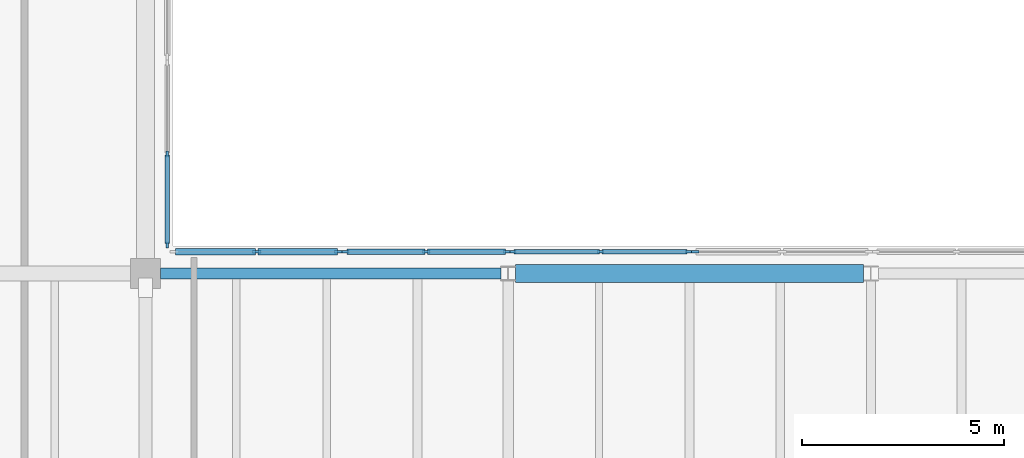
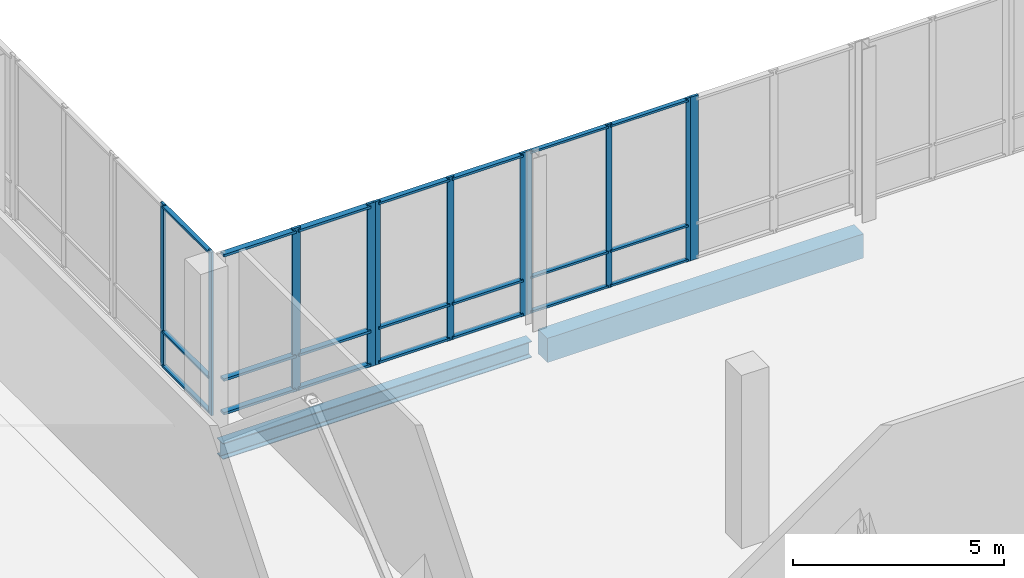
# One storey, part 19 of 73: 32 members, 2 beams, 5 elements without a shape of their own.
"""IFC4 building model written with IfcOpenShell, lengths in metres."""

from ifc_helpers import new_model, si_unit, direction, frame, origin, origin_2d, place, context, subcontext, project, spatial, rectangle, i_section, extrude, material, material_profile, profile_set, type_object, element, aggregate, save


model = new_model("IFC4")

# Units and contexts
model_context = context("Model", 3, precision=1e-05, world=origin(), true_north=direction((0.0, 1.0)))
body_context = subcontext(model_context, "Body", "Model", "MODEL_VIEW")
ifc_project = project(units=[si_unit("LENGTHUNIT", "METRE"), si_unit("AREAUNIT", "SQUARE_METRE"), si_unit("VOLUMEUNIT", "CUBIC_METRE"), si_unit("PLANEANGLEUNIT", "RADIAN"), si_unit("MASSUNIT", "GRAM", prefix="KILO")], contexts=[model_context])

# Site, building, storey
site_placement = place(None, origin())
site = spatial("IfcSite", under=ifc_project, at=site_placement, CompositionType="ELEMENT")
building_placement = place(site_placement, origin())
building = spatial("IfcBuilding", under=site, at=building_placement, Name="Trimount Lyric Opera House", CompositionType="ELEMENT")
storey_placement = place(building_placement, frame((0.0, 0.0, 10.0)))
storey = spatial("IfcBuildingStorey", under=building, at=storey_placement, Name="L02", CompositionType="ELEMENT", Elevation=10.0)

# Curtain wall, members
ifc_material_1 = material(Name="Thermally Broken Aluminium and Low-E Glass", Category="aluminium")
curtain_wall_type = type_object("IfcCurtainWallType", Name="CW-03", PredefinedType="NOTDEFINED", material=ifc_material_1)
curtain_wall_1_placement = place(storey_placement, origin())
curtain_wall_1 = element("IfcCurtainWall", 1, at=curtain_wall_1_placement, inside=storey, type_object=curtain_wall_type, Name="L02 curtain wall 198", PredefinedType="NOTDEFINED")
ifc_material_2 = material(Name="Anodised Aluminium 6063-T6", Category="aluminium")
ifc_material_profile_1 = material_profile(ifc_material_2, rectangle(XDim=0.070068359375, YDim=0.219970703125, at=origin_2d()), Name="ALU-MULL-70X220")
ifc_profile_set_1 = profile_set([ifc_material_profile_1], Name="Anodised Aluminium 6063-T6")
member_type_1 = type_object("IfcMemberType", Name="ML-01", PredefinedType="MULLION", material=ifc_profile_set_1)
member_1_placement = place(storey_placement, frame((20.760009765625, 74.5400390625, 0.0), z_axis=(0.0, 0.0, 1.0), x_axis=(0.0, 1.0, 0.0)))
member_1 = element("IfcMember", 2, at=member_1_placement, type_object=member_type_1, Name="CW-03 mullion 2", PredefinedType="MULLION", context=body_context, shape_type="SweptSolid", body=[
    extrude(rectangle(XDim=0.070068359375, YDim=0.219970703125, at=origin_2d()), origin(), (0.0, 0.0, 1.0), 4.719970703125),
])
member_2_placement = place(storey_placement, frame((22.804931640625, 74.5400390625, 0.0), z_axis=(0.0, 0.0, 1.0), x_axis=(0.0, 1.0, 0.0)))
member_2 = element("IfcMember", 3, at=member_2_placement, type_object=member_type_1, Name="CW-03 mullion 3", PredefinedType="MULLION", context=body_context, shape_type="SweptSolid", body=[
    extrude(rectangle(XDim=0.070068359375, YDim=0.219970703125, at=origin_2d()), origin(), (0.0, 0.0, 1.0), 4.719970703125),
])

# Curtain wall, member
curtain_wall_2_placement = place(storey_placement, origin())
curtain_wall_2 = element("IfcCurtainWall", 4, at=curtain_wall_2_placement, inside=storey, type_object=curtain_wall_type, Name="L02 curtain wall 201", PredefinedType="NOTDEFINED")
member_3_placement = place(storey_placement, frame((31.625, 74.5400390625, 0.0), z_axis=(0.0, 0.0, 1.0), x_axis=(0.0, 1.0, 0.0)))
member_3 = element("IfcMember", 5, at=member_3_placement, type_object=member_type_1, Name="CW-03 mullion 1", PredefinedType="MULLION", context=body_context, shape_type="SweptSolid", body=[
    extrude(rectangle(XDim=0.070068359375, YDim=0.219970703125, at=origin_2d()), origin(), (0.0, 0.0, 1.0), 4.719970703125),
])
aggregate(curtain_wall_2, [member_3])

# Curtain wall, members
curtain_wall_3_placement = place(storey_placement, origin())
curtain_wall_3 = element("IfcCurtainWall", 6, at=curtain_wall_3_placement, inside=storey, type_object=curtain_wall_type, Name="L02 curtain wall 199", PredefinedType="NOTDEFINED")
ifc_material_3 = material(Name="Anodised Aluminium 6063-T6", Category="aluminium")
ifc_material_profile_2 = material_profile(ifc_material_3, rectangle(XDim=0.06494140625, YDim=0.179931640625, at=origin_2d()), Name="ALU-MULL-65X180")
ifc_profile_set_2 = profile_set([ifc_material_profile_2], Name="Anodised Aluminium 6063-T6")
member_type_2 = type_object("IfcMemberType", Name="ML-02", PredefinedType="MULLION", material=ifc_profile_set_2)
member_4_placement = place(storey_placement, frame((22.96240234375, 74.5400390625, 0.0), z_axis=(0.0, 0.0, 1.0), x_axis=(0.0, 1.0, 0.0)))
member_4 = element("IfcMember", 7, at=member_4_placement, type_object=member_type_2, Name="CW-03 mullion 1", PredefinedType="MULLION", context=body_context, shape_type="SweptSolid", body=[
    extrude(rectangle(XDim=0.06494140625, YDim=0.179931640625, at=origin_2d()), origin(), (0.0, 0.0, 1.0), 4.719970703125),
])
member_5_placement = place(storey_placement, frame((24.965087890625, 74.5400390625, 0.0), z_axis=(0.0, 0.0, 1.0), x_axis=(0.0, 1.0, 0.0)))
member_5 = element("IfcMember", 8, at=member_5_placement, type_object=member_type_2, Name="CW-03 mullion 2", PredefinedType="MULLION", context=body_context, shape_type="SweptSolid", body=[
    extrude(rectangle(XDim=0.06494140625, YDim=0.179931640625, at=origin_2d()), origin(), (0.0, 0.0, 1.0), 4.719970703125),
])
member_6_placement = place(storey_placement, frame((26.967529296875, 74.5400390625, 0.0), z_axis=(0.0, 0.0, 1.0), x_axis=(0.0, 1.0, 0.0)))
member_6 = element("IfcMember", 9, at=member_6_placement, type_object=member_type_2, Name="CW-03 mullion 3", PredefinedType="MULLION", context=body_context, shape_type="SweptSolid", body=[
    extrude(rectangle(XDim=0.06494140625, YDim=0.179931640625, at=origin_2d()), origin(), (0.0, 0.0, 1.0), 4.719970703125),
])

curtain_wall_4_placement = place(storey_placement, origin())
curtain_wall_4 = element("IfcCurtainWall", 10, at=curtain_wall_4_placement, inside=storey, type_object=curtain_wall_type, Name="L02 curtain wall 200", PredefinedType="NOTDEFINED")
ifc_material_4 = material(Name="Anodised Aluminium 6063-T6", Category="aluminium")
ifc_material_profile_3 = material_profile(ifc_material_4, rectangle(XDim=0.06005859375, YDim=0.14990234375, at=origin_2d()), Name="ALU-MULL-60X150")
ifc_profile_set_3 = profile_set([ifc_material_profile_3], Name="Anodised Aluminium 6063-T6")
member_type_3 = type_object("IfcMemberType", Name="ML-03", PredefinedType="MULLION", material=ifc_profile_set_3)
member_7_placement = place(storey_placement, frame((27.1201171875, 74.5400390625, 0.0), z_axis=(0.0, 0.0, 1.0), x_axis=(0.0, 1.0, 0.0)))
member_7 = element("IfcMember", 11, at=member_7_placement, type_object=member_type_3, Name="CW-03 mullion 1", PredefinedType="MULLION", context=body_context, shape_type="SweptSolid", body=[
    extrude(rectangle(XDim=0.06005859375, YDim=0.14990234375, at=origin_2d()), origin(), (0.0, 0.0, 1.0), 4.719970703125),
])
member_8_placement = place(storey_placement, frame((29.294921875, 74.5400390625, 0.0), z_axis=(0.0, 0.0, 1.0), x_axis=(0.0, 1.0, 0.0)))
member_8 = element("IfcMember", 12, at=member_8_placement, type_object=member_type_3, Name="CW-03 mullion 2", PredefinedType="MULLION", context=body_context, shape_type="SweptSolid", body=[
    extrude(rectangle(XDim=0.06005859375, YDim=0.14990234375, at=origin_2d()), origin(), (0.0, 0.0, 1.0), 4.719970703125),
])
member_9_placement = place(storey_placement, frame((31.469970703125, 74.5400390625, 0.0), z_axis=(0.0, 0.0, 1.0), x_axis=(0.0, 1.0, 0.0)))
member_9 = element("IfcMember", 13, at=member_9_placement, type_object=member_type_3, Name="CW-03 mullion 3", PredefinedType="MULLION", context=body_context, shape_type="SweptSolid", body=[
    extrude(rectangle(XDim=0.06005859375, YDim=0.14990234375, at=origin_2d()), origin(), (0.0, 0.0, 1.0), 4.719970703125),
])

curtain_wall_5_placement = place(storey_placement, origin())
curtain_wall_5 = element("IfcCurtainWall", 14, at=curtain_wall_5_placement, inside=storey, type_object=curtain_wall_type, Name="L02 curtain wall 221", PredefinedType="NOTDEFINED")
member_10_placement = place(storey_placement, frame((18.5400390625, 76.965087890625, 0.0), z_axis=(0.0, 0.0, 1.0), x_axis=(1.0, 0.0, 0.0)))
member_10 = element("IfcMember", 15, at=member_10_placement, type_object=member_type_3, Name="CW-03 mullion 2", PredefinedType="MULLION", context=body_context, shape_type="SweptSolid", body=[
    extrude(rectangle(XDim=0.06005859375, YDim=0.14990234375, at=origin_2d()), origin(), (0.0, 0.0, 1.0), 4.719970703125),
])
member_11_placement = place(storey_placement, frame((18.5400390625, 74.7099609375, 0.0), z_axis=(0.0, 0.0, 1.0), x_axis=(1.0, 0.0, 0.0)))
member_11 = element("IfcMember", 16, at=member_11_placement, type_object=member_type_3, Name="CW-03 mullion 3", PredefinedType="MULLION", context=body_context, shape_type="SweptSolid", body=[
    extrude(rectangle(XDim=0.06005859375, YDim=0.14990234375, at=origin_2d()), origin(), (0.0, 0.0, 1.0), 4.719970703125),
])

# Beams
ifc_material_5 = material(Name="Steel ASTM A992 Grade 50", Category="steel")
ifc_material_profile_4 = material_profile(ifc_material_5, i_section(OverallWidth=0.281982421875, OverallDepth=0.467041015625, WebThickness=0.01220703125, FlangeThickness=0.01953125, FilletRadius=0.012939453125, at=origin_2d()), Name="W18X86")
ifc_profile_set_4 = profile_set([ifc_material_profile_4], Name="Steel ASTM A992 Grade 50")
beam_type_1 = type_object("IfcBeamType", Name="SP-01", PredefinedType="SPANDREL", material=ifc_profile_set_4)
beam_1_placement = place(storey_placement, frame((18.375, 74.0, -0.513427734375), z_axis=(1.0, 0.0, 0.0), x_axis=(0.0, 1.0, 0.0)))
element("IfcBeam", 17, at=beam_1_placement, inside=storey, type_object=beam_type_1, Name="L02 girder X-0763", PredefinedType="SPANDREL", context=body_context, shape_type="SweptSolid", body=[
    extrude(i_section(OverallWidth=0.281982421875, OverallDepth=0.467041015625, WebThickness=0.01220703125, FlangeThickness=0.01953125, FilletRadius=0.012939453125, at=origin_2d()), origin(), (0.0, 0.0, 1.0), 8.44091796875),
])
ifc_material_6 = material(Name="Concrete C40/50", Category="concrete")
ifc_material_profile_5 = material_profile(ifc_material_6, rectangle(XDim=0.449951171875, YDim=0.699951171875, at=origin_2d()), Name="RC450X700")
ifc_profile_set_5 = profile_set([ifc_material_profile_5], Name="Concrete C40/50")
beam_type_2 = type_object("IfcBeamType", Name="SP-02", PredefinedType="SPANDREL", material=ifc_profile_set_5)
beam_2_placement = place(storey_placement, frame((27.18408203125, 74.0, -0.6298828125), z_axis=(1.0, 0.0, 0.0), x_axis=(0.0, 1.0, 0.0)))
element("IfcBeam", 18, at=beam_2_placement, inside=storey, type_object=beam_type_2, Name="L02 girder X-0764", PredefinedType="SPANDREL", context=body_context, shape_type="SweptSolid", body=[
    extrude(rectangle(XDim=0.449951171875, YDim=0.699951171875, at=origin_2d()), origin(), (0.0, 0.0, 1.0), 8.62939453125),
])

# Member
ifc_material_7 = material(Name="Anodised Aluminium 6063-T6", Category="aluminium")
ifc_material_profile_6 = material_profile(ifc_material_7, rectangle(XDim=0.159912109375, YDim=0.070068359375, at=origin_2d()), Name="ALU-TRAN-70X160")
ifc_profile_set_6 = profile_set([ifc_material_profile_6], Name="Anodised Aluminium 6063-T6")
member_type_4 = type_object("IfcMemberType", Name="TR-01", PredefinedType="USERDEFINED", material=ifc_profile_set_6)
member_12_placement = place(storey_placement, frame((18.75, 74.5400390625, 0.080078125), z_axis=(1.0, 0.0, 0.0), x_axis=(0.0, 1.0, 0.0)))
member_12 = element("IfcMember", 19, at=member_12_placement, type_object=member_type_4, Name="CW-03 transom 1.1", ObjectType="TRANSOM", PredefinedType="USERDEFINED", context=body_context, shape_type="SweptSolid", body=[
    extrude(rectangle(XDim=0.159912109375, YDim=0.070068359375, at=origin_2d()), origin(), (0.0, 0.0, 1.0), 1.97509765625),
])

member_13_placement = place(storey_placement, frame((18.75, 74.5400390625, 1.050048828125), z_axis=(1.0, 0.0, 0.0), x_axis=(0.0, 1.0, 0.0)))
member_13 = element("IfcMember", 20, at=member_13_placement, type_object=member_type_4, Name="CW-03 transom 1.2", ObjectType="TRANSOM", PredefinedType="USERDEFINED", context=body_context, shape_type="SweptSolid", body=[
    extrude(rectangle(XDim=0.159912109375, YDim=0.070068359375, at=origin_2d()), origin(), (0.0, 0.0, 1.0), 1.97509765625),
])

member_14_placement = place(storey_placement, frame((18.75, 74.5400390625, 4.639892578125), z_axis=(1.0, 0.0, 0.0), x_axis=(0.0, 1.0, 0.0)))
member_14 = element("IfcMember", 21, at=member_14_placement, type_object=member_type_4, Name="CW-03 transom 1.3", ObjectType="TRANSOM", PredefinedType="USERDEFINED", context=body_context, shape_type="SweptSolid", body=[
    extrude(rectangle(XDim=0.159912109375, YDim=0.070068359375, at=origin_2d()), origin(), (0.0, 0.0, 1.0), 1.97509765625),
])

member_15_placement = place(storey_placement, frame((20.794921875, 74.5400390625, 0.080078125), z_axis=(1.0, 0.0, 0.0), x_axis=(0.0, 1.0, 0.0)))
member_15 = element("IfcMember", 22, at=member_15_placement, type_object=member_type_4, Name="CW-03 transom 2.1", ObjectType="TRANSOM", PredefinedType="USERDEFINED", context=body_context, shape_type="SweptSolid", body=[
    extrude(rectangle(XDim=0.159912109375, YDim=0.070068359375, at=origin_2d()), origin(), (0.0, 0.0, 1.0), 1.97509765625),
])

member_16_placement = place(storey_placement, frame((20.794921875, 74.5400390625, 1.050048828125), z_axis=(1.0, 0.0, 0.0), x_axis=(0.0, 1.0, 0.0)))
member_16 = element("IfcMember", 23, at=member_16_placement, type_object=member_type_4, Name="CW-03 transom 2.2", ObjectType="TRANSOM", PredefinedType="USERDEFINED", context=body_context, shape_type="SweptSolid", body=[
    extrude(rectangle(XDim=0.159912109375, YDim=0.070068359375, at=origin_2d()), origin(), (0.0, 0.0, 1.0), 1.97509765625),
])

member_17_placement = place(storey_placement, frame((20.794921875, 74.5400390625, 4.639892578125), z_axis=(1.0, 0.0, 0.0), x_axis=(0.0, 1.0, 0.0)))
member_17 = element("IfcMember", 24, at=member_17_placement, type_object=member_type_4, Name="CW-03 transom 2.3", ObjectType="TRANSOM", PredefinedType="USERDEFINED", context=body_context, shape_type="SweptSolid", body=[
    extrude(rectangle(XDim=0.159912109375, YDim=0.070068359375, at=origin_2d()), origin(), (0.0, 0.0, 1.0), 1.97509765625),
])

aggregate(curtain_wall_1, [member_1, member_2, member_12, member_13, member_14, member_15, member_16, member_17])

ifc_material_8 = material(Name="Anodised Aluminium 6063-T6", Category="aluminium")
ifc_material_profile_7 = material_profile(ifc_material_8, rectangle(XDim=0.135009765625, YDim=0.06494140625, at=origin_2d()), Name="ALU-TRAN-65X135")
ifc_profile_set_7 = profile_set([ifc_material_profile_7], Name="Anodised Aluminium 6063-T6")
member_type_5 = type_object("IfcMemberType", Name="TR-02", PredefinedType="USERDEFINED", material=ifc_profile_set_7)
member_18_placement = place(storey_placement, frame((22.9951171875, 74.5400390625, 0.0673828125), z_axis=(1.0, 0.0, 0.0), x_axis=(0.0, 1.0, 0.0)))
member_18 = element("IfcMember", 25, at=member_18_placement, type_object=member_type_5, Name="CW-03 transom 1.1", ObjectType="TRANSOM", PredefinedType="USERDEFINED", context=body_context, shape_type="SweptSolid", body=[
    extrude(rectangle(XDim=0.135009765625, YDim=0.06494140625, at=origin_2d()), origin(), (0.0, 0.0, 1.0), 1.9375),
])

member_19_placement = place(storey_placement, frame((22.9951171875, 74.5400390625, 1.050048828125), z_axis=(1.0, 0.0, 0.0), x_axis=(0.0, 1.0, 0.0)))
member_19 = element("IfcMember", 26, at=member_19_placement, type_object=member_type_5, Name="CW-03 transom 1.2", ObjectType="TRANSOM", PredefinedType="USERDEFINED", context=body_context, shape_type="SweptSolid", body=[
    extrude(rectangle(XDim=0.135009765625, YDim=0.06494140625, at=origin_2d()), origin(), (0.0, 0.0, 1.0), 1.9375),
])

member_20_placement = place(storey_placement, frame((22.9951171875, 74.5400390625, 4.652587890625), z_axis=(1.0, 0.0, 0.0), x_axis=(0.0, 1.0, 0.0)))
member_20 = element("IfcMember", 27, at=member_20_placement, type_object=member_type_5, Name="CW-03 transom 1.3", ObjectType="TRANSOM", PredefinedType="USERDEFINED", context=body_context, shape_type="SweptSolid", body=[
    extrude(rectangle(XDim=0.135009765625, YDim=0.06494140625, at=origin_2d()), origin(), (0.0, 0.0, 1.0), 1.9375),
])

member_21_placement = place(storey_placement, frame((24.99755859375, 74.5400390625, 0.0673828125), z_axis=(1.0, 0.0, 0.0), x_axis=(0.0, 1.0, 0.0)))
member_21 = element("IfcMember", 28, at=member_21_placement, type_object=member_type_5, Name="CW-03 transom 2.1", ObjectType="TRANSOM", PredefinedType="USERDEFINED", context=body_context, shape_type="SweptSolid", body=[
    extrude(rectangle(XDim=0.135009765625, YDim=0.06494140625, at=origin_2d()), origin(), (0.0, 0.0, 1.0), 1.9375),
])

member_22_placement = place(storey_placement, frame((24.99755859375, 74.5400390625, 1.050048828125), z_axis=(1.0, 0.0, 0.0), x_axis=(0.0, 1.0, 0.0)))
member_22 = element("IfcMember", 29, at=member_22_placement, type_object=member_type_5, Name="CW-03 transom 2.2", ObjectType="TRANSOM", PredefinedType="USERDEFINED", context=body_context, shape_type="SweptSolid", body=[
    extrude(rectangle(XDim=0.135009765625, YDim=0.06494140625, at=origin_2d()), origin(), (0.0, 0.0, 1.0), 1.9375),
])

member_23_placement = place(storey_placement, frame((24.99755859375, 74.5400390625, 4.652587890625), z_axis=(1.0, 0.0, 0.0), x_axis=(0.0, 1.0, 0.0)))
member_23 = element("IfcMember", 30, at=member_23_placement, type_object=member_type_5, Name="CW-03 transom 2.3", ObjectType="TRANSOM", PredefinedType="USERDEFINED", context=body_context, shape_type="SweptSolid", body=[
    extrude(rectangle(XDim=0.135009765625, YDim=0.06494140625, at=origin_2d()), origin(), (0.0, 0.0, 1.0), 1.9375),
])

aggregate(curtain_wall_3, [member_4, member_5, member_6, member_18, member_19, member_20, member_21, member_22, member_23])

ifc_material_9 = material(Name="Anodised Aluminium 6063-T6", Category="aluminium")
ifc_material_profile_8 = material_profile(ifc_material_9, rectangle(XDim=0.114990234375, YDim=0.06005859375, at=origin_2d()), Name="ALU-TRAN-60X115")
ifc_profile_set_8 = profile_set([ifc_material_profile_8], Name="Anodised Aluminium 6063-T6")
member_type_6 = type_object("IfcMemberType", Name="TR-03", PredefinedType="USERDEFINED", material=ifc_profile_set_8)
member_24_placement = place(storey_placement, frame((27.14990234375, 74.5400390625, 0.0576171875), z_axis=(1.0, 0.0, 0.0), x_axis=(0.0, 1.0, 0.0)))
member_24 = element("IfcMember", 31, at=member_24_placement, type_object=member_type_6, Name="CW-03 transom 1.1", ObjectType="TRANSOM", PredefinedType="USERDEFINED", context=body_context, shape_type="SweptSolid", body=[
    extrude(rectangle(XDim=0.114990234375, YDim=0.06005859375, at=origin_2d()), origin(), (0.0, 0.0, 1.0), 2.114990234375),
])

member_25_placement = place(storey_placement, frame((27.14990234375, 74.5400390625, 1.050048828125), z_axis=(1.0, 0.0, 0.0), x_axis=(0.0, 1.0, 0.0)))
member_25 = element("IfcMember", 32, at=member_25_placement, type_object=member_type_6, Name="CW-03 transom 1.2", ObjectType="TRANSOM", PredefinedType="USERDEFINED", context=body_context, shape_type="SweptSolid", body=[
    extrude(rectangle(XDim=0.114990234375, YDim=0.06005859375, at=origin_2d()), origin(), (0.0, 0.0, 1.0), 2.114990234375),
])

member_26_placement = place(storey_placement, frame((27.14990234375, 74.5400390625, 4.66259765625), z_axis=(1.0, 0.0, 0.0), x_axis=(0.0, 1.0, 0.0)))
member_26 = element("IfcMember", 33, at=member_26_placement, type_object=member_type_6, Name="CW-03 transom 1.3", ObjectType="TRANSOM", PredefinedType="USERDEFINED", context=body_context, shape_type="SweptSolid", body=[
    extrude(rectangle(XDim=0.114990234375, YDim=0.06005859375, at=origin_2d()), origin(), (0.0, 0.0, 1.0), 2.114990234375),
])

member_27_placement = place(storey_placement, frame((29.324951171875, 74.5400390625, 0.0576171875), z_axis=(1.0, 0.0, 0.0), x_axis=(0.0, 1.0, 0.0)))
member_27 = element("IfcMember", 34, at=member_27_placement, type_object=member_type_6, Name="CW-03 transom 2.1", ObjectType="TRANSOM", PredefinedType="USERDEFINED", context=body_context, shape_type="SweptSolid", body=[
    extrude(rectangle(XDim=0.114990234375, YDim=0.06005859375, at=origin_2d()), origin(), (0.0, 0.0, 1.0), 2.114990234375),
])

member_28_placement = place(storey_placement, frame((29.324951171875, 74.5400390625, 1.050048828125), z_axis=(1.0, 0.0, 0.0), x_axis=(0.0, 1.0, 0.0)))
member_28 = element("IfcMember", 35, at=member_28_placement, type_object=member_type_6, Name="CW-03 transom 2.2", ObjectType="TRANSOM", PredefinedType="USERDEFINED", context=body_context, shape_type="SweptSolid", body=[
    extrude(rectangle(XDim=0.114990234375, YDim=0.06005859375, at=origin_2d()), origin(), (0.0, 0.0, 1.0), 2.114990234375),
])

member_29_placement = place(storey_placement, frame((29.324951171875, 74.5400390625, 4.66259765625), z_axis=(1.0, 0.0, 0.0), x_axis=(0.0, 1.0, 0.0)))
member_29 = element("IfcMember", 36, at=member_29_placement, type_object=member_type_6, Name="CW-03 transom 2.3", ObjectType="TRANSOM", PredefinedType="USERDEFINED", context=body_context, shape_type="SweptSolid", body=[
    extrude(rectangle(XDim=0.114990234375, YDim=0.06005859375, at=origin_2d()), origin(), (0.0, 0.0, 1.0), 2.114990234375),
])

aggregate(curtain_wall_4, [member_7, member_8, member_9, member_24, member_25, member_26, member_27, member_28, member_29])

member_30_placement = place(storey_placement, frame((18.5400390625, 76.93505859375, 0.0576171875), z_axis=(0.0, -1.0, 0.0), x_axis=(1.0, 0.0, 0.0)))
member_30 = element("IfcMember", 37, at=member_30_placement, type_object=member_type_6, Name="CW-03 transom 2.1", ObjectType="TRANSOM", PredefinedType="USERDEFINED", context=body_context, shape_type="SweptSolid", body=[
    extrude(rectangle(XDim=0.114990234375, YDim=0.06005859375, at=origin_2d()), origin(), (0.0, 0.0, 1.0), 2.195068359375),
])

member_31_placement = place(storey_placement, frame((18.5400390625, 76.93505859375, 1.050048828125), z_axis=(0.0, -1.0, 0.0), x_axis=(1.0, 0.0, 0.0)))
member_31 = element("IfcMember", 38, at=member_31_placement, type_object=member_type_6, Name="CW-03 transom 2.2", ObjectType="TRANSOM", PredefinedType="USERDEFINED", context=body_context, shape_type="SweptSolid", body=[
    extrude(rectangle(XDim=0.114990234375, YDim=0.06005859375, at=origin_2d()), origin(), (0.0, 0.0, 1.0), 2.195068359375),
])

member_32_placement = place(storey_placement, frame((18.5400390625, 76.93505859375, 4.66259765625), z_axis=(0.0, -1.0, 0.0), x_axis=(1.0, 0.0, 0.0)))
member_32 = element("IfcMember", 39, at=member_32_placement, type_object=member_type_6, Name="CW-03 transom 2.3", ObjectType="TRANSOM", PredefinedType="USERDEFINED", context=body_context, shape_type="SweptSolid", body=[
    extrude(rectangle(XDim=0.114990234375, YDim=0.06005859375, at=origin_2d()), origin(), (0.0, 0.0, 1.0), 2.195068359375),
])

aggregate(curtain_wall_5, [member_10, member_11, member_30, member_31, member_32])

save(model, "model.ifc")
